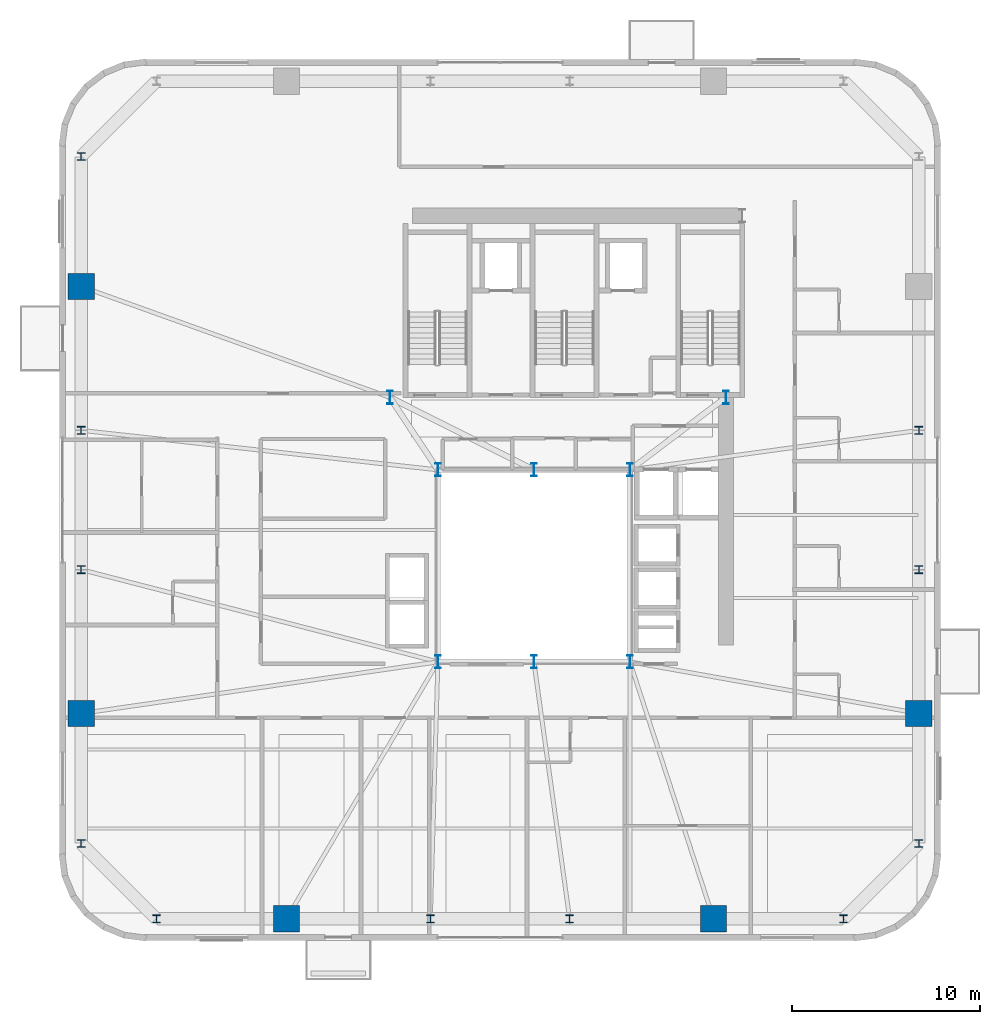
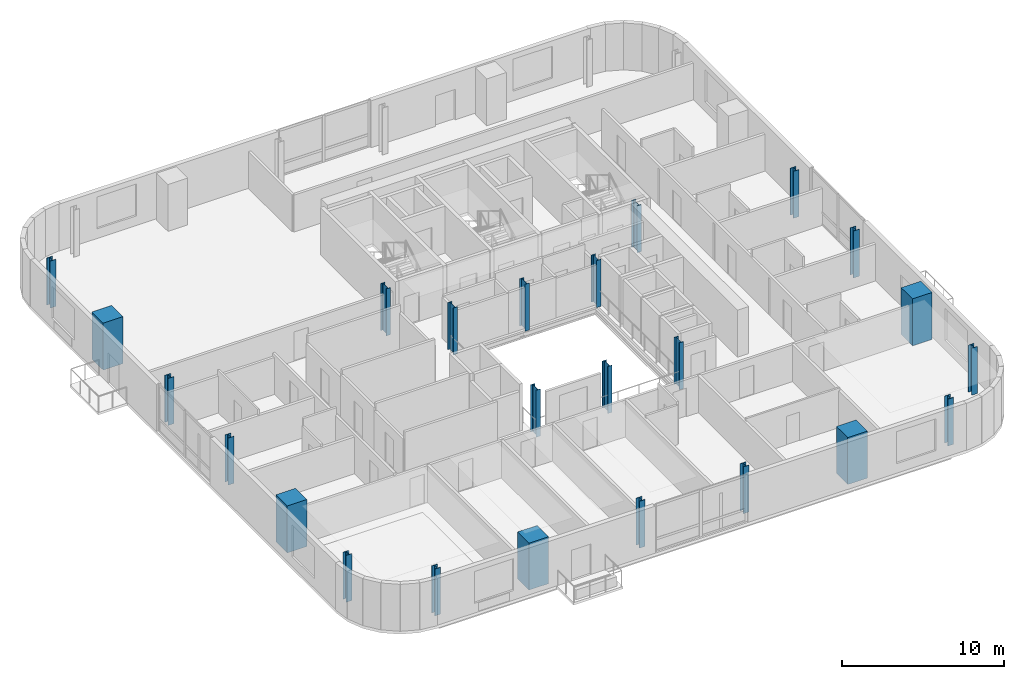
# One storey, part 1 of 13: 24 columns.
"""IFC4 building model written with IfcOpenShell, lengths in metres."""

from ifc_helpers import new_model, si_unit, direction, frame, origin, origin_2d, place, context, subcontext, project, spatial, rectangle, i_section, extrude, source, transform, mapped, material, material_profile, profile_set, type_object, element, save


model = new_model("IFC4")

# Units and contexts
model_context = context("Model", 3, precision=1e-05, world=origin(), true_north=direction((0.0, 1.0)))
body_context = subcontext(model_context, "Body", "Model", "MODEL_VIEW")
ifc_project = project(units=[si_unit("LENGTHUNIT", "METRE"), si_unit("AREAUNIT", "SQUARE_METRE"), si_unit("VOLUMEUNIT", "CUBIC_METRE"), si_unit("PLANEANGLEUNIT", "RADIAN"), si_unit("MASSUNIT", "GRAM", prefix="KILO")], contexts=[model_context])

# Site, building, storey
site_placement = place(None, origin())
site = spatial("IfcSite", under=ifc_project, at=site_placement, CompositionType="ELEMENT")
building_placement = place(site_placement, origin())
building = spatial("IfcBuilding", under=site, at=building_placement, Name="Vardaveli Station Tower", CompositionType="ELEMENT")
storey_placement = place(building_placement, frame((0.0, 0.0, 196.050048828125)))
storey = spatial("IfcBuildingStorey", under=building, at=storey_placement, Name="L50", CompositionType="ELEMENT", Elevation=196.050048828125)

# Columns
ifc_material_1 = material(Name="Structural steel S460M", Category="steel")
ifc_material_profile_1 = material_profile(ifc_material_1, i_section(OverallWidth=0.300048828125, OverallDepth=0.699951171875, WebThickness=0.01708984375, FlangeThickness=0.031982421875, FilletRadius=0.027099609375, at=origin_2d()), Name="HEB 700")
ifc_profile_set_1 = profile_set([ifc_material_profile_1], Name="Structural steel S460M")
column_type_1 = type_object("IfcColumnType", Name="COL-HEB700", PredefinedType="COLUMN", material=ifc_profile_set_1)
shared_shape_1 = source(origin(), body_context, "Body", "SweptSolid", [
    extrude(i_section(OverallWidth=0.300048828125, OverallDepth=0.699951171875, WebThickness=0.01708984375, FlangeThickness=0.031982421875, FilletRadius=0.027099609375, at=origin_2d()), origin(), (0.0, 0.0, 1.0), 3.530029296875),
])
for number, where, z_axis, x_axis, name in (
    (1, (31.199951171875, 16.60009765625, 0.0), (0.0, 0.0, 1.0), (1.0, 0.0, 0.0), "COL-L50-AC1"),
    (2, (36.300048828125, 16.60009765625, 0.0), (0.0, 0.0, 1.0), (1.0, 0.0, 0.0), "COL-L50-AC2"),
    (3, (41.39990234375, 16.60009765625, 0.0), (0.0, 0.0, 1.0), (1.0, 0.0, 0.0), "COL-L50-AC3"),
    (4, (41.39990234375, 26.800048828125, 0.0), (0.0, 0.0, 1.0), (1.0, 0.0, 0.0), "COL-L50-AC4"),
    (5, (36.300048828125, 26.800048828125, 0.0), (0.0, 0.0, 1.0), (1.0, 0.0, 0.0), "COL-L50-AC5"),
    (6, (31.199951171875, 26.800048828125, 0.0), (0.0, 0.0, 1.0), (1.0, 0.0, 0.0), "COL-L50-AC6"),
    (7, (28.64990234375, 30.64990234375, 0.0), (0.0, 0.0, 1.0), (1.0, 0.0, 0.0), "COL-L50-CC1"),
    (8, (46.5, 30.64990234375, 0.0), (0.0, 0.0, 1.0), (1.0, 0.0, 0.0), "COL-L50-CC2"),
):
    element("IfcColumn", number, at=place(storey_placement, frame(where, z_axis=z_axis, x_axis=x_axis)), inside=storey, type_object=column_type_1, Name=name, PredefinedType="COLUMN", context=body_context, shape_type="MappedRepresentation", body=[
        mapped(shared_shape_1, transform((0.0, 0.0, 0.0), scale=1.0)),
    ])
ifc_material_2 = material(Name="Concrete C50/60", Category="concrete")
ifc_material_profile_2 = material_profile(ifc_material_2, rectangle(XDim=1.39990234375, YDim=1.39990234375, at=origin_2d()), Name="MC 1400x1400")
ifc_profile_set_2 = profile_set([ifc_material_profile_2], Name="Concrete C50/60")
column_type_2 = type_object("IfcColumnType", Name="COL-MC-1400", PredefinedType="COLUMN", material=ifc_profile_set_2)
shared_shape_2 = source(origin(), body_context, "Body", "SweptSolid", [
    extrude(rectangle(XDim=1.39990234375, YDim=1.39990234375, at=origin_2d()), origin(), (0.0, 0.0, 1.0), 3.530029296875),
])
for number, where, z_axis, x_axis, name in (
    (9, (23.159912109375, 2.949951171875, 0.0), (0.0, 0.0, 1.0), (1.0, 0.0, 0.0), "COL-L50-MC1"),
    (10, (45.840087890625, 2.949951171875, 0.0), (0.0, 0.0, 1.0), (1.0, 0.0, 0.0), "COL-L50-MC2"),
    (11, (56.75, 13.860107421875, 0.0), (0.0, 0.0, 1.0), (1.0, 0.0, 0.0), "COL-L50-MC3"),
    (12, (12.25, 36.5400390625, 0.0), (0.0, 0.0, 1.0), (1.0, 0.0, 0.0), "COL-L50-MC7"),
    (13, (12.25, 13.860107421875, 0.0), (0.0, 0.0, 1.0), (1.0, 0.0, 0.0), "COL-L50-MC8"),
):
    element("IfcColumn", number, at=place(storey_placement, frame(where, z_axis=z_axis, x_axis=x_axis)), inside=storey, type_object=column_type_2, Name=name, PredefinedType="COLUMN", context=body_context, shape_type="MappedRepresentation", body=[
        mapped(shared_shape_2, transform((0.0, 0.0, 0.0), scale=1.0)),
    ])
ifc_material_profile_3 = material_profile(ifc_material_1, i_section(OverallWidth=0.408935546875, OverallDepth=0.4169921875, WebThickness=0.021240234375, FlangeThickness=0.033203125, FilletRadius=0.014892578125, at=origin_2d()), Name="HD 400x347")
ifc_profile_set_3 = profile_set([ifc_material_profile_3], Name="Structural steel S460M")
column_type_3 = type_object("IfcColumnType", Name="COL-HD347", PredefinedType="COLUMN", material=ifc_profile_set_3)
shared_shape_3 = source(origin(), body_context, "Body", "SweptSolid", [
    extrude(i_section(OverallWidth=0.408935546875, OverallDepth=0.4169921875, WebThickness=0.021240234375, FlangeThickness=0.033203125, FilletRadius=0.014892578125, at=origin_2d()), origin(), (0.0, 0.0, 1.0), 3.530029296875),
])
for number, where, z_axis, x_axis, name in (
    (14, (16.25, 2.949951171875, 0.0), (0.0, 0.0, 1.0), (1.0, 0.0, 0.0), "COL-L50-PC01"),
    (15, (30.800048828125, 2.949951171875, 0.0), (0.0, 0.0, 1.0), (1.0, 0.0, 0.0), "COL-L50-PC02"),
    (16, (38.199951171875, 2.949951171875, 0.0), (0.0, 0.0, 1.0), (1.0, 0.0, 0.0), "COL-L50-PC03"),
    (17, (52.75, 2.949951171875, 0.0), (0.0, 0.0, 1.0), (1.0, 0.0, 0.0), "COL-L50-PC04"),
    (18, (56.75, 6.949951171875, 0.0), (0.0, 0.0, 1.0), (1.0, 0.0, 0.0), "COL-L50-PC05"),
    (19, (56.75, 21.5, 0.0), (0.0, 0.0, 1.0), (1.0, 0.0, 0.0), "COL-L50-PC06"),
    (20, (56.75, 28.89990234375, 0.0), (0.0, 0.0, 1.0), (1.0, 0.0, 0.0), "COL-L50-PC07"),
    (21, (12.25, 43.449951171875, 0.0), (0.0, 0.0, 1.0), (1.0, 0.0, 0.0), "COL-L50-PC13"),
    (22, (12.25, 28.89990234375, 0.0), (0.0, 0.0, 1.0), (1.0, 0.0, 0.0), "COL-L50-PC14"),
    (23, (12.25, 21.5, 0.0), (0.0, 0.0, 1.0), (1.0, 0.0, 0.0), "COL-L50-PC15"),
    (24, (12.25, 6.949951171875, 0.0), (0.0, 0.0, 1.0), (1.0, 0.0, 0.0), "COL-L50-PC16"),
):
    element("IfcColumn", number, at=place(storey_placement, frame(where, z_axis=z_axis, x_axis=x_axis)), inside=storey, type_object=column_type_3, Name=name, PredefinedType="COLUMN", context=body_context, shape_type="MappedRepresentation", body=[
        mapped(shared_shape_3, transform((0.0, 0.0, 0.0), scale=1.0)),
    ])

save(model, "model.ifc")
